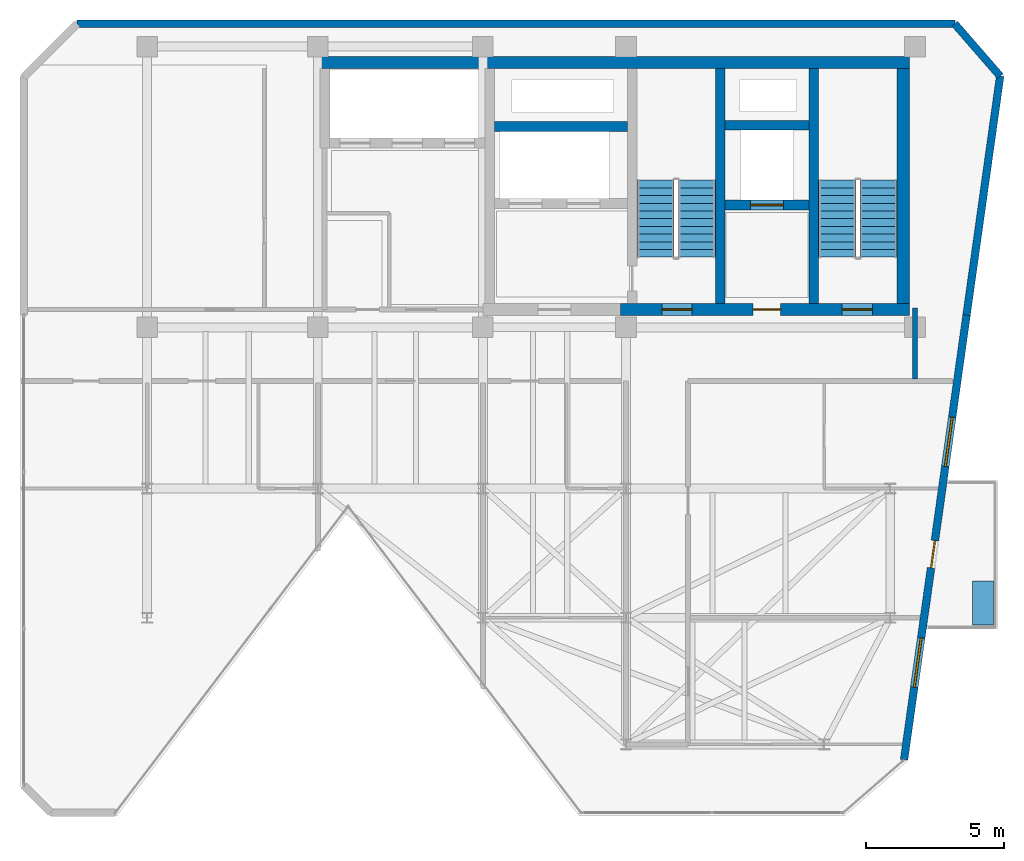
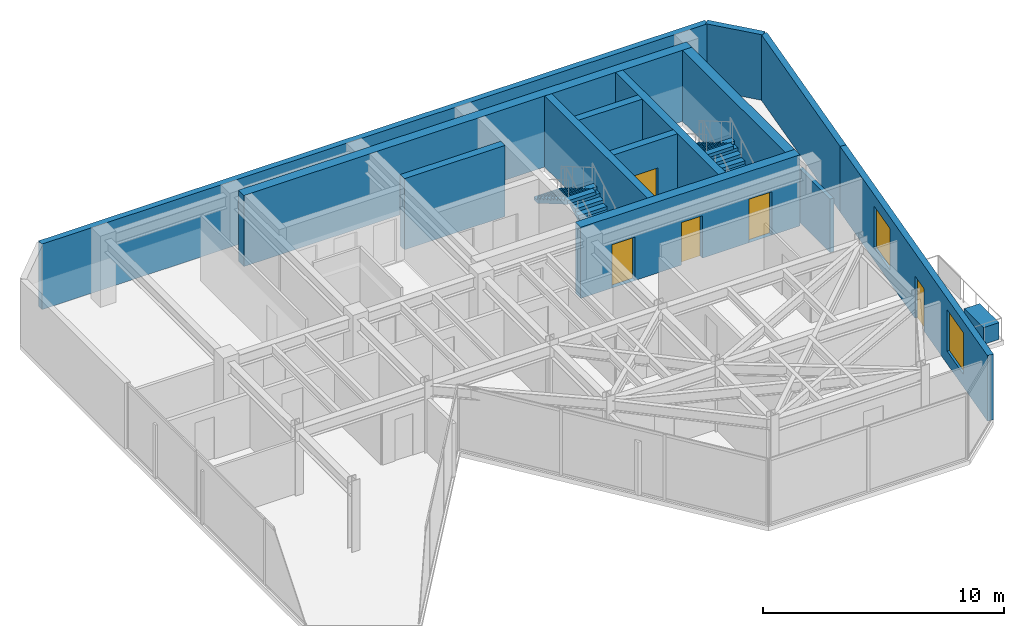
# One storey, part 14 of 16: 13 walls, 5 doors, 4 stair flights, 2 windows, 1 discrete accessory, 7 openings, 2 elements without a shape of their own.
"""IFC4 building model written with IfcOpenShell, lengths in metres."""

from ifc_helpers import new_model, si_unit, direction, frame, frame_2d, origin, origin_2d, place, context, subcontext, project, spatial, polyline, rectangle, outline, extrude, material, layer, layer_set, type_object, element, fill, aggregate, save


model = new_model("IFC4")

# Units and contexts
model_context = context("Model", 3, precision=1e-05, world=origin(), true_north=direction((0.0, 1.0)))
body_context = subcontext(model_context, "Body", "Model", "MODEL_VIEW")
ifc_project = project(units=[si_unit("LENGTHUNIT", "METRE"), si_unit("AREAUNIT", "SQUARE_METRE"), si_unit("VOLUMEUNIT", "CUBIC_METRE"), si_unit("PLANEANGLEUNIT", "RADIAN"), si_unit("MASSUNIT", "GRAM", prefix="KILO")], contexts=[model_context])

# Site, building, storey
site_placement = place(None, origin())
site = spatial("IfcSite", under=ifc_project, at=site_placement, CompositionType="ELEMENT")
building_placement = place(site_placement, origin())
building = spatial("IfcBuilding", under=site, at=building_placement, Name="Kravanh Interchange Tower", CompositionType="ELEMENT")
storey_placement = place(building_placement, frame((0.0, 0.0, 307.5)))
storey = spatial("IfcBuildingStorey", under=building, at=storey_placement, Name="L76", CompositionType="ELEMENT", Elevation=307.5)

# Walls
ifc_material_1 = material(Name="Concrete C60/75", Category="concrete")
ifc_layer_1 = layer(ifc_material_1, 0.35009765625)
ifc_layer_set_1 = layer_set([ifc_layer_1], Name="Core Shear Wall Concrete C60/75 350mm")
wall_type_1 = type_object("IfcWallType", Name="Core Shear Wall Concrete C60/75 350mm", PredefinedType="SHEAR", material=ifc_layer_set_1)
for number, where, z_axis, x_axis, name in (
    (1, (62.824951171875, 38.22509765625, 0.0), (0.0, 0.0, 1.0), (0.0, 1.0, 0.0), "L76 Stair ST1 West Shear Wall"),
    (2, (59.425048828125, 38.22509765625, 0.0), (0.0, 0.0, 1.0), (0.0, 1.0, 0.0), "L76 Stair ST2 East Shear Wall"),
):
    element("IfcWall", number, at=place(storey_placement, frame(where, z_axis=z_axis, x_axis=x_axis)), inside=storey, type_object=wall_type_1, Name=name, PredefinedType="SHEAR", context=body_context, shape_type="SweptSolid", body=[
        extrude(rectangle(XDim=8.52490234375, YDim=0.35009765625, at=frame_2d((4.262451171875, 0.0))), origin(), (0.0, 0.0, 1.0), 3.60009765625),
    ])

# Wall, opening, door
wall_1_placement = place(storey_placement, frame((59.60009765625, 41.800048828125, 0.0), z_axis=(0.0, 0.0, 1.0), x_axis=(1.0, 0.0, 0.0)))
wall_1 = element("IfcWall", 3, at=wall_1_placement, inside=storey, type_object=wall_type_1, Name="L76 Service Lift Shaft South Wall", PredefinedType="SHEAR", context=body_context, shape_type="SweptSolid", body=[
    extrude(rectangle(XDim=3.0498046875, YDim=0.35009765625, at=frame_2d((1.52490234375, 0.0))), origin(), (0.0, 0.0, 1.0), 3.60009765625),
])
opening_1_placement = place(wall_1_placement, frame((0.919921875, 0.0, 0.0)))
opening_1 = element("IfcOpeningElement", 4, at=opening_1_placement, cuts=wall_1, Name="Opening LD02", PredefinedType="OPENING", context=body_context, shape_type="SweptSolid", body=[
    extrude(rectangle(XDim=1.199951171875, YDim=2.199951171875, at=frame_2d((0.60009765625, 1.10009765625))), frame((0.0, 0.18505859375, 0.0), z_axis=(0.0, -1.0, 0.0), x_axis=(1.0, 0.0, 0.0)), (0.0, 0.0, 1.0), 0.3701171875),
])
ifc_material_2 = material(Name="Stainless Steel 316", Category="steel")
door_type_1 = type_object("IfcDoorType", Name="Fire and Service Lift Sliding Landing Door 1200x2200", OperationType="DOUBLE_DOOR_SLIDING", PredefinedType="DOOR", material=ifc_material_2)
door_1_placement = place(opening_1_placement, origin())
door_1 = element("IfcDoor", 5, at=door_1_placement, inside=storey, type_object=door_type_1, Name="L76 Lift LS-01 Landing Door", OperationType="DOUBLE_DOOR_SLIDING", OverallHeight=2.199951171875, OverallWidth=1.199951171875, PredefinedType="DOOR", context=body_context, shape_type="SweptSolid", body=[
    extrude(rectangle(XDim=1.199951171875, YDim=2.199951171875, at=frame_2d((0.60009765625, 1.10009765625))), frame((0.0, 0.02490234375, 0.0), z_axis=(0.0, -1.0, 0.0), x_axis=(1.0, 0.0, 0.0)), (0.0, 0.0, 1.0), 0.050048828125),
])
fill(opening_1, door_1)

# Walls
wall_2_placement = place(storey_placement, frame((59.60009765625, 44.699951171875, 0.0), z_axis=(0.0, 0.0, 1.0), x_axis=(1.0, 0.0, 0.0)))
element("IfcWall", 6, at=wall_2_placement, inside=storey, type_object=wall_type_1, Name="L76 Service Lift Shaft North Wall", PredefinedType="SHEAR", context=body_context, shape_type="SweptSolid", body=[
    extrude(rectangle(XDim=3.0498046875, YDim=0.35009765625, at=frame_2d((1.52490234375, 0.0))), origin(), (0.0, 0.0, 1.0), 3.60009765625),
])
wall_3_placement = place(storey_placement, frame((51.22509765625, 44.64990234375, 0.0), z_axis=(0.0, 0.0, 1.0), x_axis=(1.0, 0.0, 0.0)))
element("IfcWall", 7, at=wall_3_placement, inside=storey, type_object=wall_type_1, Name="L76 Fire Lift Shaft North Wall", PredefinedType="SHEAR", context=body_context, shape_type="SweptSolid", body=[
    extrude(rectangle(XDim=4.824951171875, YDim=0.35009765625, at=frame_2d((2.41259765625, 0.0))), origin(), (0.0, 0.0, 1.0), 3.60009765625),
])
ifc_material_3 = material(Name="Concrete C60/75", Category="concrete")
ifc_layer_2 = layer(ifc_material_3, 0.449951171875)
ifc_layer_set_2 = layer_set([ifc_layer_2], Name="Core Shear Wall Concrete C60/75 450mm")
wall_type_2 = type_object("IfcWallType", Name="Core Shear Wall Concrete C60/75 450mm", PredefinedType="SHEAR", material=ifc_layer_set_2)
wall_4_placement = place(storey_placement, frame((44.85009765625, 46.97509765625, 0.0), z_axis=(0.0, 0.0, 1.0), x_axis=(1.0, 0.0, 0.0)))
element("IfcWall", 8, at=wall_4_placement, inside=storey, type_object=wall_type_2, Name="L76 North Core Shear Wall", PredefinedType="SHEAR", context=body_context, shape_type="SweptSolid", body=[
    extrude(rectangle(XDim=21.449951171875, YDim=0.449951171875, at=frame_2d((10.72509765625, 0.0))), origin(), (0.0, 0.0, 1.0), 3.60009765625),
])

# Wall, openings, doors
wall_5_placement = place(storey_placement, frame((55.800048828125, 38.0, 0.0), z_axis=(0.0, 0.0, 1.0), x_axis=(1.0, 0.0, 0.0)))
wall_5 = element("IfcWall", 9, at=wall_5_placement, inside=storey, type_object=wall_type_2, Name="L76 East Core South Shear Wall", PredefinedType="SHEAR", context=body_context, shape_type="SweptSolid", body=[
    extrude(rectangle(XDim=10.5, YDim=0.449951171875, at=frame_2d((5.25, 0.0))), origin(), (0.0, 0.0, 1.0), 3.60009765625),
])
opening_2_placement = place(wall_5_placement, frame((1.5, 0.0, 0.0)))
opening_2 = element("IfcOpeningElement", 10, at=opening_2_placement, cuts=wall_5, Name="Opening D-STAIR-110", PredefinedType="OPENING", context=body_context, shape_type="SweptSolid", body=[
    extrude(rectangle(XDim=1.10009765625, YDim=2.199951171875, at=frame_2d((0.550048828125, 1.10009765625))), frame((0.0, 0.23486328125, 0.0), z_axis=(0.0, -1.0, 0.0), x_axis=(1.0, 0.0, 0.0)), (0.0, 0.0, 1.0), 0.469970703125),
])
opening_3_placement = place(wall_5_placement, frame((4.820068359375, 0.0, 0.0)))
opening_3 = element("IfcOpeningElement", 11, at=opening_3_placement, cuts=wall_5, Name="Opening D-HOTEL-100", PredefinedType="OPENING", context=body_context, shape_type="SweptSolid", body=[
    extrude(rectangle(XDim=1.0, YDim=2.14990234375, at=frame_2d((0.5, 1.074951171875))), frame((0.0, 0.23486328125, 0.0), z_axis=(0.0, -1.0, 0.0), x_axis=(1.0, 0.0, 0.0)), (0.0, 0.0, 1.0), 0.469970703125),
])
opening_4_placement = place(wall_5_placement, frame((8.050048828125, 0.0, 0.0)))
opening_4 = element("IfcOpeningElement", 12, at=opening_4_placement, cuts=wall_5, Name="Opening D-STAIR-110", PredefinedType="OPENING", context=body_context, shape_type="SweptSolid", body=[
    extrude(rectangle(XDim=1.10009765625, YDim=2.199951171875, at=frame_2d((0.550048828125, 1.10009765625))), frame((0.0, 0.23486328125, 0.0), z_axis=(0.0, -1.0, 0.0), x_axis=(1.0, 0.0, 0.0)), (0.0, 0.0, 1.0), 0.469970703125),
])
ifc_material_4 = material(Name="Structural Steel S355", Category="steel")
door_type_2 = type_object("IfcDoorType", Name="Fire-Rated Exit Stair Door 1100x2200", OperationType="NOTDEFINED", PredefinedType="DOOR", material=ifc_material_4)
door_2_placement = place(opening_2_placement, origin())
door_2 = element("IfcDoor", 13, at=door_2_placement, inside=storey, type_object=door_type_2, Name="L76 Exit Stair ST2 Door", OperationType="SINGLE_SWING_RIGHT", OverallHeight=2.199951171875, OverallWidth=1.10009765625, PredefinedType="DOOR", context=body_context, shape_type="SweptSolid", body=[
    extrude(rectangle(XDim=1.10009765625, YDim=2.199951171875, at=frame_2d((0.550048828125, 1.10009765625))), frame((0.0, 0.02490234375, 0.0), z_axis=(0.0, -1.0, 0.0), x_axis=(1.0, 0.0, 0.0)), (0.0, 0.0, 1.0), 0.050048828125),
])
fill(opening_2, door_2)
door_3_placement = place(opening_4_placement, origin())
door_3 = element("IfcDoor", 14, at=door_3_placement, inside=storey, type_object=door_type_2, Name="L76 Exit Stair ST1 Door", OperationType="SINGLE_SWING_RIGHT", OverallHeight=2.199951171875, OverallWidth=1.10009765625, PredefinedType="DOOR", context=body_context, shape_type="SweptSolid", body=[
    extrude(rectangle(XDim=1.10009765625, YDim=2.199951171875, at=frame_2d((0.550048828125, 1.10009765625))), frame((0.0, 0.02490234375, 0.0), z_axis=(0.0, -1.0, 0.0), x_axis=(1.0, 0.0, 0.0)), (0.0, 0.0, 1.0), 0.050048828125),
])
fill(opening_4, door_3)
ifc_material_5 = material(Name="Fire-Rated Solid Timber Leaf", Category="wood")
door_type_3 = type_object("IfcDoorType", Name="Fire-Rated Suite Entrance Door 1000x2150", OperationType="NOTDEFINED", PredefinedType="DOOR", material=ifc_material_5)
door_4_placement = place(opening_3_placement, origin())
door_4 = element("IfcDoor", 15, at=door_4_placement, inside=storey, type_object=door_type_3, Name="L76 Service Lift Lobby Door", OperationType="SINGLE_SWING_RIGHT", OverallHeight=2.14990234375, OverallWidth=1.0, PredefinedType="DOOR", context=body_context, shape_type="SweptSolid", body=[
    extrude(rectangle(XDim=1.0, YDim=2.14990234375, at=frame_2d((0.5, 1.074951171875))), frame((0.0, 0.02490234375, 0.0), z_axis=(0.0, -1.0, 0.0), x_axis=(1.0, 0.0, 0.0)), (0.0, 0.0, 1.0), 0.050048828125),
])
fill(opening_3, door_4)

# Walls
wall_6_placement = place(storey_placement, frame((66.074951171875, 38.22509765625, 0.0), z_axis=(0.0, 0.0, 1.0), x_axis=(0.0, 1.0, 0.0)))
element("IfcWall", 16, at=wall_6_placement, inside=storey, type_object=wall_type_2, Name="L76 Stair ST1 East Shear Wall", PredefinedType="SHEAR", context=body_context, shape_type="SweptSolid", body=[
    extrude(rectangle(XDim=8.52490234375, YDim=0.449951171875, at=frame_2d((4.262451171875, 0.0))), origin(), (0.0, 0.0, 1.0), 3.60009765625),
])
ifc_material_6 = material(Name="Insulated Precast Concrete C40/50 with Bronze Cladding", Category="concrete")
ifc_layer_3 = layer(ifc_material_6, 0.280029296875)
ifc_layer_set_3 = layer_set([ifc_layer_3], Name="Exterior Insulated Concrete C40/50 Bronze Spandrel Wall 280mm")
wall_type_3 = type_object("IfcWallType", Name="Exterior Insulated Concrete C40/50 Bronze Spandrel Wall 280mm", PredefinedType="STANDARD", material=ifc_layer_set_3)
wall_7_placement = place(storey_placement, frame((36.0498046875, 48.3798828125, 0.0), z_axis=(0.0, 0.0, 1.0), x_axis=(1.0, 0.0, 0.0)))
element("IfcWall", 17, at=wall_7_placement, inside=storey, type_object=wall_type_3, Name="L76 Exterior Wall 3", PredefinedType="STANDARD", context=body_context, shape_type="SweptSolid", body=[
    extrude(rectangle(XDim=31.8955078125, YDim=0.280029296875, at=frame_2d((15.94775390625, 0.0))), origin(), (0.0, 0.0, 1.0), 3.320068359375),
])
wall_8_placement = place(storey_placement, frame((67.9453125, 48.3798828125, 0.0), z_axis=(0.0, 0.0, 1.0), x_axis=(0.656068147197, -0.75470165379, 0.0)))
element("IfcWall", 18, at=wall_8_placement, inside=storey, type_object=wall_type_3, Name="L76 Exterior Wall 4", PredefinedType="STANDARD", context=body_context, shape_type="SweptSolid", body=[
    extrude(rectangle(XDim=2.514892578125, YDim=0.280029296875, at=frame_2d((1.25732421875, 0.0))), origin(), (0.0, 0.0, 1.0), 3.320068359375),
])
wall_9_placement = place(storey_placement, frame((69.59521484375, 46.48193359375, 0.0), z_axis=(0.0, 0.0, 1.0), x_axis=(-0.139179310088, -0.990267196086, 0.0)))
element("IfcWall", 19, at=wall_9_placement, inside=storey, type_object=wall_type_3, Name="L76 Exterior Wall 5", PredefinedType="STANDARD", context=body_context, shape_type="SweptSolid", body=[
    extrude(rectangle(XDim=8.767333984375, YDim=0.280029296875, at=frame_2d((4.3837890625, 0.0))), origin(), (0.0, 0.0, 1.0), 3.320068359375),
])

# Wall, openings, door, windows
wall_10_placement = place(storey_placement, frame((68.375, 37.800048828125, 0.0), z_axis=(0.0, 0.0, 1.0), x_axis=(-0.139177573889, -0.990267440102, 0.0)))
wall_10 = element("IfcWall", 20, at=wall_10_placement, inside=storey, type_object=wall_type_3, Name="L76 Exterior Wall 6", PredefinedType="STANDARD", context=body_context, shape_type="SweptSolid", body=[
    extrude(rectangle(XDim=16.317138671875, YDim=0.280029296875, at=frame_2d((8.15869140625, 0.0))), origin(), (0.0, 0.0, 1.0), 3.320068359375),
])
opening_5_placement = place(wall_10_placement, frame((8.27880859375, 0.0, 0.0)))
opening_5 = element("IfcOpeningElement", 21, at=opening_5_placement, cuts=wall_10, Name="Opening ED-BAL100", PredefinedType="OPENING", context=body_context, shape_type="SweptSolid", body=[
    extrude(rectangle(XDim=1.0, YDim=2.14990234375, at=frame_2d((0.5, 1.074951171875))), frame((0.0, 0.14990234375, 0.0), z_axis=(0.0, -1.0, 0.0), x_axis=(1.0, 0.0, 0.0)), (0.0, 0.0, 1.0), 0.300048828125),
])
opening_6_placement = place(wall_10_placement, frame((3.75439453125, 0.0, 0.64990234375)))
opening_6 = element("IfcOpeningElement", 22, at=opening_6_placement, cuts=wall_10, Name="Opening WN-180X210", PredefinedType="OPENING", context=body_context, shape_type="SweptSolid", body=[
    extrude(rectangle(XDim=1.800048828125, YDim=2.10009765625, at=frame_2d((0.89990234375, 1.050048828125))), frame((0.0, 0.14990234375, 0.0), z_axis=(0.0, -1.0, 0.0), x_axis=(1.0, 0.0, 0.0)), (0.0, 0.0, 1.0), 0.300048828125),
])
opening_7_placement = place(wall_10_placement, frame((11.850341796875, 0.0, 0.64990234375)))
opening_7 = element("IfcOpeningElement", 23, at=opening_7_placement, cuts=wall_10, Name="Opening WN-180X210", PredefinedType="OPENING", context=body_context, shape_type="SweptSolid", body=[
    extrude(rectangle(XDim=1.800048828125, YDim=2.10009765625, at=frame_2d((0.89990234375, 1.050048828125))), frame((0.0, 0.14990234375, 0.0), z_axis=(0.0, -1.0, 0.0), x_axis=(1.0, 0.0, 0.0)), (0.0, 0.0, 1.0), 0.300048828125),
])
ifc_material_7 = material(Name="Thermally Broken Bronze Aluminium and Laminated Glass", Category="aluminium")
door_type_4 = type_object("IfcDoorType", Name="Balcony Glazed Door 1000x2150", OperationType="NOTDEFINED", PredefinedType="DOOR", material=ifc_material_7)
door_5_placement = place(opening_5_placement, origin())
door_5 = element("IfcDoor", 24, at=door_5_placement, inside=storey, type_object=door_type_4, Name="L76 E Tree Balcony Access Door", OperationType="SINGLE_SWING_RIGHT", OverallHeight=2.14990234375, OverallWidth=1.0, PredefinedType="DOOR", context=body_context, shape_type="SweptSolid", body=[
    extrude(rectangle(XDim=1.0, YDim=2.14990234375, at=frame_2d((0.5, 1.074951171875))), frame((0.0, 0.02490234375, 0.0), z_axis=(0.0, -1.0, 0.0), x_axis=(1.0, 0.0, 0.0)), (0.0, 0.0, 1.0), 0.050048828125),
])
fill(opening_5, door_5)
ifc_material_8 = material(Name="Thermally Broken Bronze Aluminium and Low-E Glass", Category="aluminium")
window_type = type_object("IfcWindowType", Name="Tower Pier Window 1800x2100", PartitioningType="SINGLE_PANEL", PredefinedType="WINDOW", material=ifc_material_8)
window_1_placement = place(opening_6_placement, origin())
window_1 = element("IfcWindow", 25, at=window_1_placement, inside=storey, type_object=window_type, Name="L76 Facade Window 6A", OverallHeight=2.10009765625, OverallWidth=1.800048828125, PartitioningType="SINGLE_PANEL", PredefinedType="WINDOW", context=body_context, shape_type="SweptSolid", body=[
    extrude(rectangle(XDim=1.800048828125, YDim=2.10009765625, at=frame_2d((0.89990234375, 1.050048828125))), frame((0.0, 0.030029296875, 0.0), z_axis=(0.0, -1.0, 0.0), x_axis=(1.0, 0.0, 0.0)), (0.0, 0.0, 1.0), 0.06005859375),
])
fill(opening_6, window_1)
window_2_placement = place(opening_7_placement, origin())
window_2 = element("IfcWindow", 26, at=window_2_placement, inside=storey, type_object=window_type, Name="L76 Facade Window 6B", OverallHeight=2.10009765625, OverallWidth=1.800048828125, PartitioningType="SINGLE_PANEL", PredefinedType="WINDOW", context=body_context, shape_type="SweptSolid", body=[
    extrude(rectangle(XDim=1.800048828125, YDim=2.10009765625, at=frame_2d((0.89990234375, 1.050048828125))), frame((0.0, 0.030029296875, 0.0), z_axis=(0.0, -1.0, 0.0), x_axis=(1.0, 0.0, 0.0)), (0.0, 0.0, 1.0), 0.06005859375),
])
fill(opening_7, window_2)

# Wall
ifc_material_9 = material(Name="Autoclaved Aerated Concrete C30/37 Blockwork", Category="masonry")
ifc_layer_4 = layer(ifc_material_9, 0.179931640625)
ifc_layer_set_4 = layer_set([ifc_layer_4], Name="Fire-Rated Lobby and Corridor Wall Concrete C30/37 180mm")
wall_type_4 = type_object("IfcWallType", Name="Fire-Rated Lobby and Corridor Wall Concrete C30/37 180mm", PredefinedType="STANDARD", material=ifc_layer_set_4)
wall_11_placement = place(storey_placement, frame((66.5, 35.468017578125, 0.0), z_axis=(0.0, 0.0, 1.0), x_axis=(0.0, 1.0, 0.0)))
element("IfcWall", 27, at=wall_11_placement, inside=storey, type_object=wall_type_4, Name="L76 Interior Partition 10", PredefinedType="STANDARD", context=body_context, shape_type="SweptSolid", body=[
    extrude(rectangle(XDim=2.58203125, YDim=0.179931640625, at=frame_2d((1.291015625, 0.0))), origin(), (0.0, 0.0, 1.0), 2.708984375),
])

# Stair, stair flights
ifc_material_10 = material(Name="Concrete C50/60", Category="concrete")
stair_type = type_object("IfcStairType", Name="Core Fire Exit Dogleg Stair Concrete C50/60", PredefinedType="HALF_TURN_STAIR", material=ifc_material_10)
stair_1_placement = place(storey_placement, origin())
stair_1 = element("IfcStair", 28, at=stair_1_placement, inside=storey, type_object=stair_type, Name="L76 Exit Stair ST1", PredefinedType="HALF_TURN_STAIR")
ifc_material_11 = material(Name="Precast Concrete C50/60", Category="concrete")
ifc_layer_5 = layer(ifc_material_11, 0.199951171875)
ifc_layer_set_5 = layer_set([ifc_layer_5], Name="Precast Concrete C50/60 Stair Flight 1350mm")
stair_flight_type = type_object("IfcStairFlightType", Name="Precast Concrete C50/60 Stair Flight 1350mm", PredefinedType="STRAIGHT", material=ifc_layer_set_5)
stair_flight_1_placement = place(storey_placement, frame((65.175048828125, 39.89990234375, 0.0), z_axis=(0.0, 0.0, 1.0), x_axis=(0.0, 1.0, 0.0)))
stair_flight_1 = element("IfcStairFlight", 29, at=stair_flight_1_placement, type_object=stair_flight_type, Name="ST1 flight 1", NumberOfRisers=11, NumberOfTreads=10, PredefinedType="STRAIGHT", RiserHeight=0.163636364, TreadLength=0.28, context=body_context, shape_type="SweptSolid", body=[
    extrude(outline(polyline([(0.0, 0.0), (0.0, 0.16357421875), (0.280029296875, 0.16357421875), (0.280029296875, 0.327392578125), (0.56005859375, 0.327392578125), (0.56005859375, 0.490966796875), (0.840087890625, 0.490966796875), (0.840087890625, 0.654541015625), (1.1201171875, 0.654541015625), (1.1201171875, 0.818115234375), (1.39990234375, 0.818115234375), (1.39990234375, 0.98193359375), (1.679931640625, 0.98193359375), (1.679931640625, 1.1455078125), (1.9599609375, 1.1455078125), (1.9599609375, 1.30908203125), (2.239990234375, 1.30908203125), (2.239990234375, 1.47265625), (2.52001953125, 1.47265625), (2.52001953125, 1.636474609375), (2.800048828125, 1.636474609375), (2.800048828125, 1.800048828125), (2.800048828125, 1.462646484375), (0.297119140625, 0.0), (0.0, 0.0)])), frame((0.0, 0.675048828125, 0.0), z_axis=(0.0, -1.0, 0.0), x_axis=(1.0, 0.0, 0.0)), (0.0, 0.0, 1.0), 1.35009765625),
])
stair_flight_2_placement = place(storey_placement, frame((63.675048828125, 42.699951171875, 1.800048828125), z_axis=(0.0, 0.0, 1.0), x_axis=(0.0, -1.0, 0.0)))
stair_flight_2 = element("IfcStairFlight", 30, at=stair_flight_2_placement, type_object=stair_flight_type, Name="ST1 flight 2", NumberOfRisers=11, NumberOfTreads=10, PredefinedType="STRAIGHT", RiserHeight=0.163636364, TreadLength=0.28, context=body_context, shape_type="SweptSolid", body=[
    extrude(outline(polyline([(0.0, 0.0), (0.0, 0.16357421875), (0.280029296875, 0.16357421875), (0.280029296875, 0.327392578125), (0.56005859375, 0.327392578125), (0.56005859375, 0.490966796875), (0.840087890625, 0.490966796875), (0.840087890625, 0.654541015625), (1.1201171875, 0.654541015625), (1.1201171875, 0.818115234375), (1.39990234375, 0.818115234375), (1.39990234375, 0.98193359375), (1.679931640625, 0.98193359375), (1.679931640625, 1.1455078125), (1.9599609375, 1.1455078125), (1.9599609375, 1.30908203125), (2.239990234375, 1.30908203125), (2.239990234375, 1.47265625), (2.52001953125, 1.47265625), (2.52001953125, 1.636474609375), (2.800048828125, 1.636474609375), (2.800048828125, 1.800048828125), (2.800048828125, 1.462646484375), (0.297119140625, 0.0), (0.0, 0.0)])), frame((0.0, 0.675048828125, 0.0), z_axis=(0.0, -1.0, 0.0), x_axis=(1.0, 0.0, 0.0)), (0.0, 0.0, 1.0), 1.35009765625),
])
aggregate(stair_1, [stair_flight_1, stair_flight_2])

stair_2_placement = place(storey_placement, origin())
stair_2 = element("IfcStair", 31, at=stair_2_placement, inside=storey, type_object=stair_type, Name="L76 Exit Stair ST2", PredefinedType="HALF_TURN_STAIR")
stair_flight_3_placement = place(storey_placement, frame((58.574951171875, 39.89990234375, 0.0), z_axis=(0.0, 0.0, 1.0), x_axis=(0.0, 1.0, 0.0)))
stair_flight_3 = element("IfcStairFlight", 32, at=stair_flight_3_placement, type_object=stair_flight_type, Name="ST2 flight 1", NumberOfRisers=11, NumberOfTreads=10, PredefinedType="STRAIGHT", RiserHeight=0.163636364, TreadLength=0.28, context=body_context, shape_type="SweptSolid", body=[
    extrude(outline(polyline([(0.0, 0.0), (0.0, 0.16357421875), (0.280029296875, 0.16357421875), (0.280029296875, 0.327392578125), (0.56005859375, 0.327392578125), (0.56005859375, 0.490966796875), (0.840087890625, 0.490966796875), (0.840087890625, 0.654541015625), (1.1201171875, 0.654541015625), (1.1201171875, 0.818115234375), (1.39990234375, 0.818115234375), (1.39990234375, 0.98193359375), (1.679931640625, 0.98193359375), (1.679931640625, 1.1455078125), (1.9599609375, 1.1455078125), (1.9599609375, 1.30908203125), (2.239990234375, 1.30908203125), (2.239990234375, 1.47265625), (2.52001953125, 1.47265625), (2.52001953125, 1.636474609375), (2.800048828125, 1.636474609375), (2.800048828125, 1.800048828125), (2.800048828125, 1.462646484375), (0.297119140625, 0.0), (0.0, 0.0)])), frame((0.0, 0.675048828125, 0.0), z_axis=(0.0, -1.0, 0.0), x_axis=(1.0, 0.0, 0.0)), (0.0, 0.0, 1.0), 1.35009765625),
])
stair_flight_4_placement = place(storey_placement, frame((57.074951171875, 42.699951171875, 1.800048828125), z_axis=(0.0, 0.0, 1.0), x_axis=(0.0, -1.0, 0.0)))
stair_flight_4 = element("IfcStairFlight", 33, at=stair_flight_4_placement, type_object=stair_flight_type, Name="ST2 flight 2", NumberOfRisers=11, NumberOfTreads=10, PredefinedType="STRAIGHT", RiserHeight=0.163636364, TreadLength=0.28, context=body_context, shape_type="SweptSolid", body=[
    extrude(outline(polyline([(0.0, 0.0), (0.0, 0.16357421875), (0.280029296875, 0.16357421875), (0.280029296875, 0.327392578125), (0.56005859375, 0.327392578125), (0.56005859375, 0.490966796875), (0.840087890625, 0.490966796875), (0.840087890625, 0.654541015625), (1.1201171875, 0.654541015625), (1.1201171875, 0.818115234375), (1.39990234375, 0.818115234375), (1.39990234375, 0.98193359375), (1.679931640625, 0.98193359375), (1.679931640625, 1.1455078125), (1.9599609375, 1.1455078125), (1.9599609375, 1.30908203125), (2.239990234375, 1.30908203125), (2.239990234375, 1.47265625), (2.52001953125, 1.47265625), (2.52001953125, 1.636474609375), (2.800048828125, 1.636474609375), (2.800048828125, 1.800048828125), (2.800048828125, 1.462646484375), (0.297119140625, 0.0), (0.0, 0.0)])), frame((0.0, 0.675048828125, 0.0), z_axis=(0.0, -1.0, 0.0), x_axis=(1.0, 0.0, 0.0)), (0.0, 0.0, 1.0), 1.35009765625),
])
aggregate(stair_2, [stair_flight_3, stair_flight_4])

# Discrete accessory
ifc_material_12 = material(Name="Architectural GRC Concrete C40/50 with Root Barrier", Category="concrete")
discrete_accessory_type = type_object("IfcDiscreteAccessoryType", Name="Structural Balcony Tree Planter Box Concrete C40/50 1600x750x850", PredefinedType="USERDEFINED", material=ifc_material_12)
discrete_accessory_placement = place(storey_placement, frame((68.969970703125, 27.340087890625, 0.0), z_axis=(0.0, 0.0, 1.0), x_axis=(1.0, 0.0, 0.0)))
element("IfcDiscreteAccessory", 34, at=discrete_accessory_placement, inside=storey, type_object=discrete_accessory_type, Name="L76 E Balcony TREE PLANTER", ObjectType="PLANTER", PredefinedType="USERDEFINED", context=body_context, shape_type="SweptSolid", body=[
    extrude(rectangle(XDim=0.75, YDim=1.60009765625, at=origin_2d()), origin(), (0.0, 0.0, 1.0), 0.85009765625),
])

save(model, "model.ifc")
